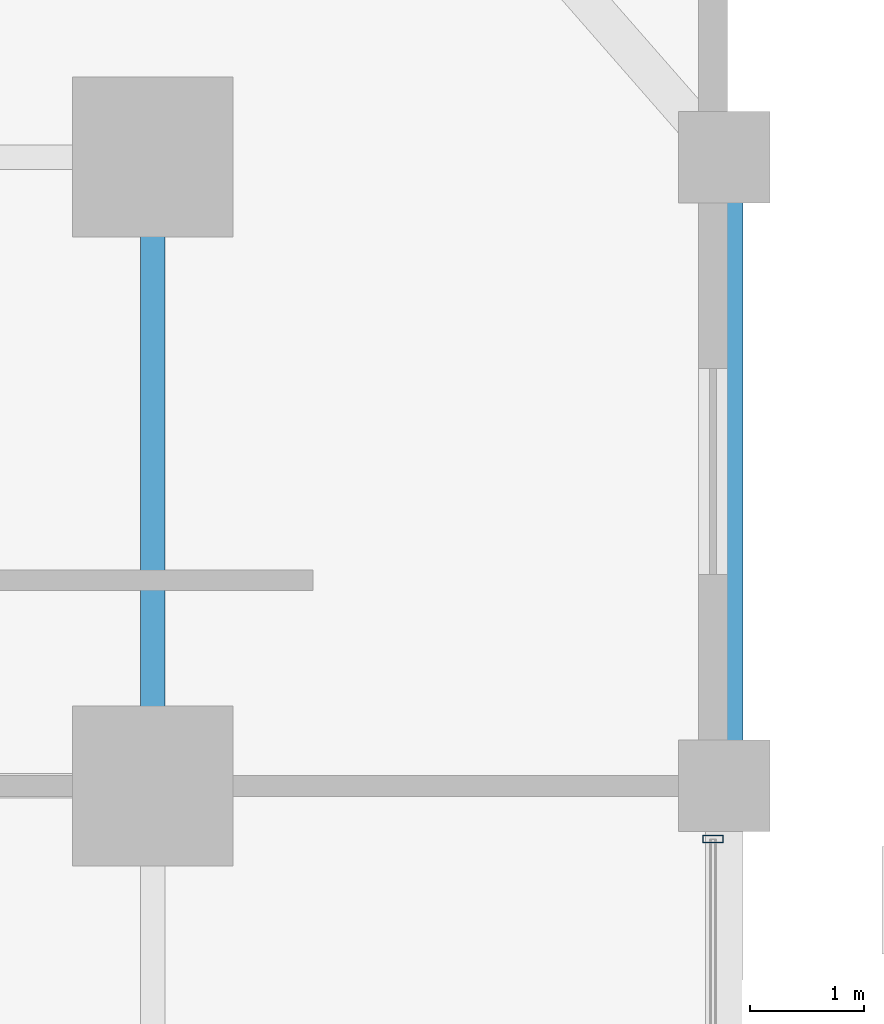
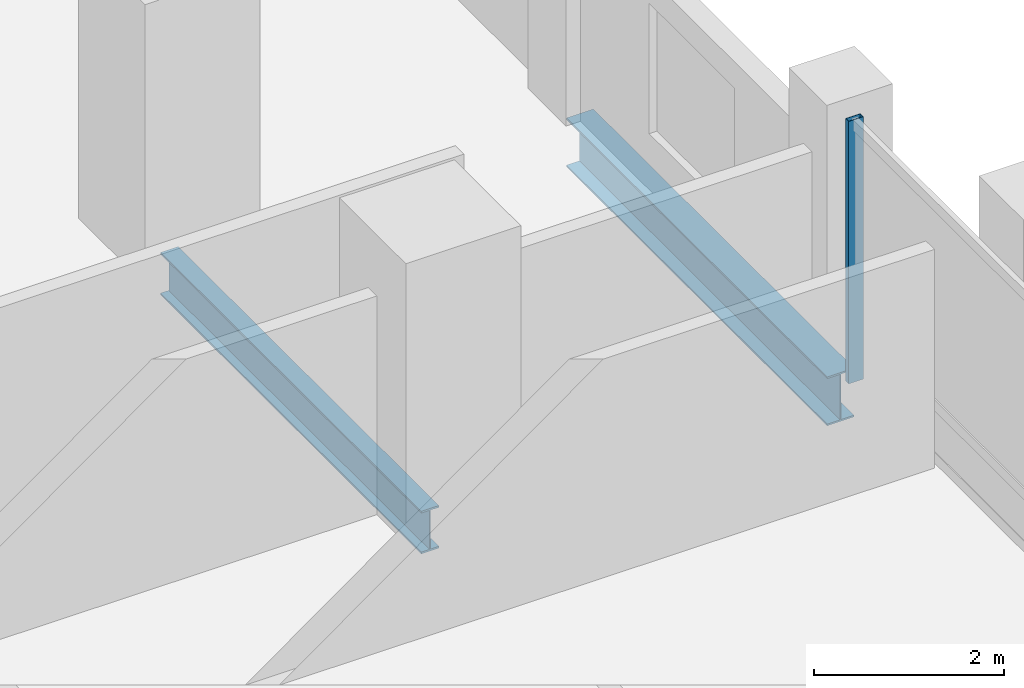
# One storey, part 15 of 21: 2 beams, 1 member, 1 element without a shape of its own.
"""IFC4 building model written with IfcOpenShell, lengths in metres."""

from ifc_helpers import new_model, si_unit, direction, frame, origin, origin_2d, place, context, subcontext, project, spatial, hollow_rectangle, i_section, extrude, material, layer, layer_set, material_profile, profile_set, type_object, element, aggregate, save


model = new_model("IFC4")

# Units and contexts
model_context = context("Model", 3, precision=1e-05, world=origin(), true_north=direction((0.0, 1.0)))
body_context = subcontext(model_context, "Body", "Model", "MODEL_VIEW")
ifc_project = project(units=[si_unit("LENGTHUNIT", "METRE"), si_unit("AREAUNIT", "SQUARE_METRE"), si_unit("VOLUMEUNIT", "CUBIC_METRE"), si_unit("PLANEANGLEUNIT", "RADIAN"), si_unit("MASSUNIT", "GRAM", prefix="KILO")], contexts=[model_context])

# Site, building, storey
site_placement = place(None, origin())
site = spatial("IfcSite", under=ifc_project, at=site_placement, CompositionType="ELEMENT")
building_placement = place(site_placement, origin())
building = spatial("IfcBuilding", under=site, at=building_placement, Name="Barlavira Tower and Art Museum", CompositionType="ELEMENT")
storey_placement = place(building_placement, frame((0.0, 0.0, 86.39990234375)))
storey = spatial("IfcBuildingStorey", under=building, at=storey_placement, Name="L21", CompositionType="ELEMENT", Elevation=86.39990234375)

# Curtain wall, member
ifc_material_1 = material(Name="Low-iron coastal laminated glass", Category="glass")
ifc_layer = layer(ifc_material_1, 0.179931640625, Name="Low-iron coastal laminated glass")
ifc_layer_set = layer_set([ifc_layer], Name="Low-iron coastal laminated glass")
curtain_wall_type = type_object("IfcCurtainWallType", Name="Pale-Metal Unitised Curtain Wall Zone 1", PredefinedType="NOTDEFINED", material=ifc_layer_set)
curtain_wall_placement = place(storey_placement, origin())
curtain_wall = element("IfcCurtainWall", 1, at=curtain_wall_placement, inside=storey, type_object=curtain_wall_type, Name="L21 Curtain Wall CW1-L21-E-B3", PredefinedType="NOTDEFINED")
ifc_material_2 = material(Name="Pale anodised aluminium", Category="aluminium")
ifc_material_profile_1 = material_profile(ifc_material_2, hollow_rectangle(XDim=0.06494140625, YDim=0.179931640625, WallThickness=0.00390625, at=origin_2d()), Name="ALU-MULL 65x180x4")
ifc_profile_set_1 = profile_set([ifc_material_profile_1], Name="Pale anodised aluminium")
member_type = type_object("IfcMemberType", Name="Curtain Wall Pale-Metal Mullion 65x180", PredefinedType="MULLION", material=ifc_profile_set_1)
member_placement = place(storey_placement, frame((21.89990234375, 7.034912109375, 0.0), z_axis=(0.0, 0.0, 1.0), x_axis=(0.0, 1.0, 0.0)))
member = element("IfcMember", 2, at=member_placement, type_object=member_type, Name="CW1-L21-E-B3 Mullion 3", PredefinedType="MULLION", context=body_context, shape_type="SweptSolid", body=[
    extrude(hollow_rectangle(XDim=0.06494140625, YDim=0.179931640625, WallThickness=0.00390625, at=origin_2d()), origin(), (0.0, 0.0, 1.0), 3.380126953125),
])
aggregate(curtain_wall, [member])

# Beams
ifc_material_3 = material(Name="Steel S355", Category="steel")
ifc_material_profile_2 = material_profile(ifc_material_3, i_section(OverallWidth=0.327880859375, OverallDepth=0.62890625, WebThickness=0.013916015625, FlangeThickness=0.021484375, at=origin_2d()), Name="W610x174.0")
ifc_profile_set_2 = profile_set([ifc_material_profile_2], Name="Steel S355")
beam_type_1 = type_object("IfcBeamType", Name="Perimeter Spandrel Edge Beam W610x174 Steel S355", PredefinedType="SPANDREL", material=ifc_profile_set_2)
beam_1_placement = place(storey_placement, frame((22.0, 7.5, -0.534423828125), z_axis=(0.0, 1.0, 0.0), x_axis=(-1.0, 0.0, 0.0)))
element("IfcBeam", 3, at=beam_1_placement, inside=storey, type_object=beam_type_1, Name="L21 Spandrel 7", PredefinedType="SPANDREL", context=body_context, shape_type="SweptSolid", body=[
    extrude(i_section(OverallWidth=0.327880859375, OverallDepth=0.62890625, WebThickness=0.013916015625, FlangeThickness=0.021484375, at=origin_2d()), origin(), (0.0, 0.0, 1.0), 5.5),
])
ifc_material_profile_3 = material_profile(ifc_material_3, i_section(OverallWidth=0.214111328125, OverallDepth=0.549072265625, WebThickness=0.0146484375, FlangeThickness=0.023681640625, at=origin_2d()), Name="W530x138.0")
ifc_profile_set_3 = profile_set([ifc_material_profile_3], Name="Steel S355")
beam_type_2 = type_object("IfcBeamType", Name="Zone 1 Primary Floor Girder W530x138 Steel S355", PredefinedType="BEAM", material=ifc_profile_set_3)
beam_2_placement = place(storey_placement, frame((17.0, 7.5, -0.494384765625), z_axis=(0.0, 1.0, 0.0), x_axis=(-1.0, 0.0, 0.0)))
element("IfcBeam", 4, at=beam_2_placement, inside=storey, type_object=beam_type_2, Name="L21 Girder M-E3", PredefinedType="BEAM", context=body_context, shape_type="SweptSolid", body=[
    extrude(i_section(OverallWidth=0.214111328125, OverallDepth=0.549072265625, WebThickness=0.0146484375, FlangeThickness=0.023681640625, at=origin_2d()), origin(), (0.0, 0.0, 1.0), 5.5),
])

save(model, "model.ifc")
